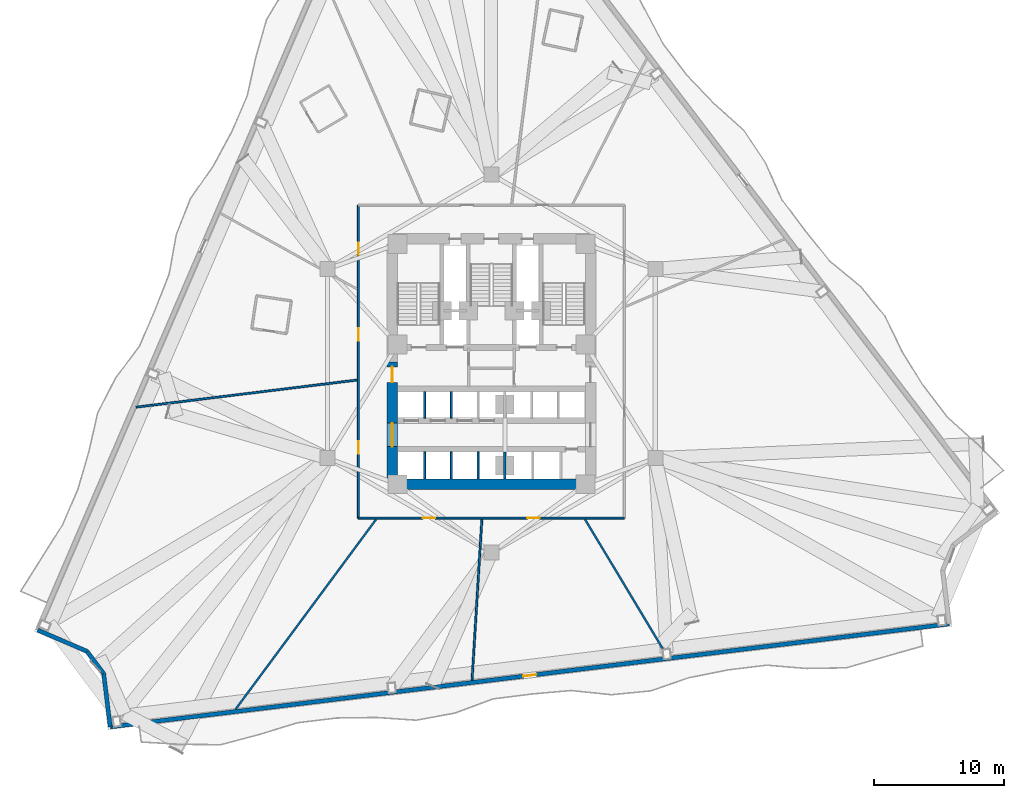
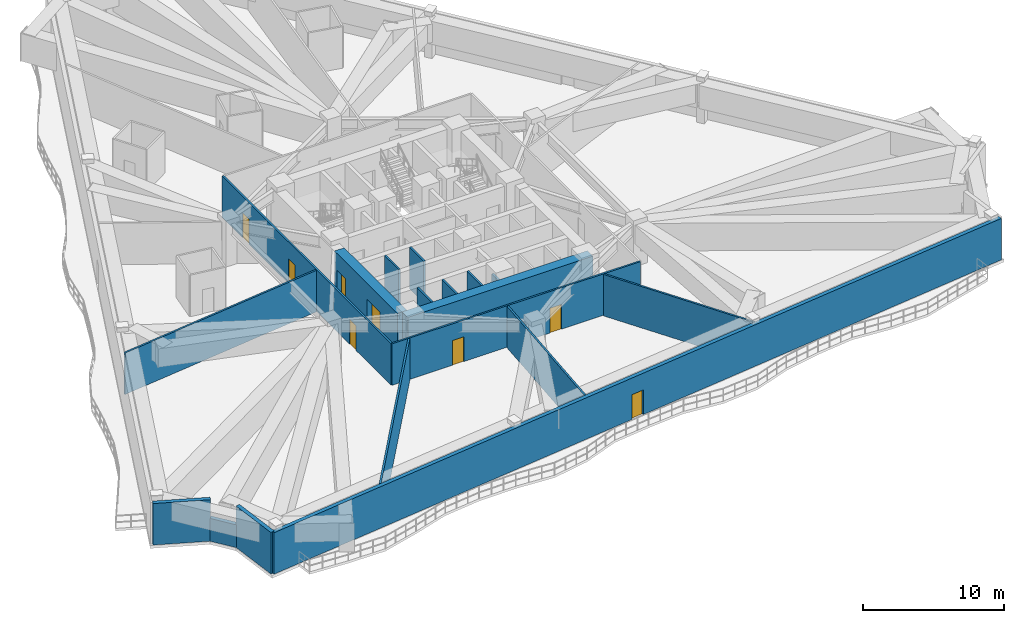
# One storey, part 7 of 14: 18 walls, 8 doors, 8 openings.
"""IFC4 building model written with IfcOpenShell, lengths in metres."""

from ifc_helpers import new_model, si_unit, direction, frame, frame_2d, origin, place, context, subcontext, project, spatial, rectangle, extrude, material, layer, layer_set, type_object, element, fill, save


model = new_model("IFC4")

# Units and contexts
model_context = context("Model", 3, precision=1e-05, world=origin(), true_north=direction((0.0, 1.0)))
body_context = subcontext(model_context, "Body", "Model", "MODEL_VIEW")
ifc_project = project(units=[si_unit("LENGTHUNIT", "METRE"), si_unit("AREAUNIT", "SQUARE_METRE"), si_unit("VOLUMEUNIT", "CUBIC_METRE"), si_unit("PLANEANGLEUNIT", "RADIAN"), si_unit("MASSUNIT", "GRAM", prefix="KILO")], contexts=[model_context])

# Site, building, storey
site_placement = place(None, origin())
site = spatial("IfcSite", under=ifc_project, at=site_placement, CompositionType="ELEMENT")
building_placement = place(site_placement, origin())
building = spatial("IfcBuilding", under=site, at=building_placement, Name="Apsidion Concourse Tower", CompositionType="ELEMENT")
storey_placement = place(building_placement, frame((0.0, 0.0, 91.0)))
storey = spatial("IfcBuildingStorey", under=building, at=storey_placement, Name="L20", CompositionType="ELEMENT", Elevation=91.0)

# Wall, opening, door
ifc_material_1 = material(Name="Precast concrete C40/50", Category="concrete")
ifc_layer_1 = layer(ifc_material_1, 0.320068359375)
ifc_layer_set_1 = layer_set([ifc_layer_1], Name="Precast concrete C40/50")
wall_type_1 = type_object("IfcWallType", Name="WL-EXT-320", PredefinedType="STANDARD", material=ifc_layer_set_1)
wall_1_placement = place(storey_placement, frame((35.0908203125, -19.961181640625, 0.0), z_axis=(0.0, 0.0, 1.0), x_axis=(-0.992546286146, -0.121868247946, 0.0)))
wall_1 = element("IfcWall", 1, at=wall_1_placement, inside=storey, type_object=wall_type_1, Name="L20 Precast Stone Facade Wall 05", PredefinedType="STANDARD", context=body_context, shape_type="SweptSolid", body=[
    extrude(rectangle(XDim=64.793212890625, YDim=0.320068359375, at=frame_2d((32.396484375, 0.0))), origin(), (0.0, 0.0, 1.0), 3.60009765625),
])
opening_1_placement = place(wall_1_placement, frame((31.896728515625, 0.0, 0.0)))
opening_1 = element("IfcOpeningElement", 2, at=opening_1_placement, cuts=wall_1, Name="Opening D-T1R", PredefinedType="OPENING", context=body_context, shape_type="SweptSolid", body=[
    extrude(rectangle(XDim=1.0, YDim=2.14990234375, at=frame_2d((0.5, 1.074951171875))), frame((0.0, 0.169921875, 0.0), z_axis=(0.0, -1.0, 0.0), x_axis=(1.0, 0.0, 0.0)), (0.0, 0.0, 1.0), 0.340087890625),
])
ifc_material_2 = material(Name="Anodised aluminium EN AW-6063 T6", Category="aluminium")
door_type_1 = type_object("IfcDoorType", Name="DR-TER-1022R", OperationType="SINGLE_SWING_RIGHT", PredefinedType="DOOR", material=ifc_material_2)
door_1_placement = place(opening_1_placement, origin())
door_1 = element("IfcDoor", 3, at=door_1_placement, inside=storey, type_object=door_type_1, Name="L20 Balcony Access Door 2", OperationType="SINGLE_SWING_RIGHT", OverallHeight=2.14990234375, OverallWidth=1.0, PredefinedType="DOOR", context=body_context, shape_type="SweptSolid", body=[
    extrude(rectangle(XDim=1.0, YDim=2.14990234375, at=frame_2d((0.5, 1.074951171875))), frame((0.0, 0.02490234375, 0.0), z_axis=(0.0, -1.0, 0.0), x_axis=(1.0, 0.0, 0.0)), (0.0, 0.0, 1.0), 0.050048828125),
])
fill(opening_1, door_1)

# Walls
wall_2_placement = place(storey_placement, frame((-29.219482421875, -27.857421875, 0.0), z_axis=(0.0, 0.0, 1.0), x_axis=(-0.121887213021, 0.992543957365, 0.0)))
element("IfcWall", 4, at=wall_2_placement, inside=storey, type_object=wall_type_1, Name="L20 Precast Stone Facade Wall 06", PredefinedType="STANDARD", context=body_context, shape_type="SweptSolid", body=[
    extrude(rectangle(XDim=4.128173828125, YDim=0.320068359375, at=frame_2d((2.06396484375, 0.0))), origin(), (0.0, 0.0, 1.0), 3.60009765625),
])
wall_3_placement = place(storey_placement, frame((-29.72265625, -23.760009765625, 0.0), z_axis=(0.0, 0.0, 1.0), x_axis=(-0.59977911486, 0.800165616218, 0.0)))
element("IfcWall", 5, at=wall_3_placement, inside=storey, type_object=wall_type_1, Name="L20 Precast Stone Facade Wall 07", PredefinedType="STANDARD", context=body_context, shape_type="SweptSolid", body=[
    extrude(rectangle(XDim=2.122314453125, YDim=0.320068359375, at=frame_2d((1.06103515625, 0.0))), origin(), (0.0, 0.0, 1.0), 1.97998046875),
])
wall_4_placement = place(storey_placement, frame((-30.99560546875, -22.061767578125, 0.0), z_axis=(0.0, 0.0, 1.0), x_axis=(-0.918504494871, 0.395410537165, 0.0)))
element("IfcWall", 6, at=wall_4_placement, inside=storey, type_object=wall_type_1, Name="L20 Precast Stone Facade Wall 08", PredefinedType="STANDARD", context=body_context, shape_type="SweptSolid", body=[
    extrude(rectangle(XDim=4.128173828125, YDim=0.320068359375, at=frame_2d((2.06396484375, 0.0))), origin(), (0.0, 0.0, 1.0), 3.60009765625),
])
ifc_material_3 = material(Name="Gypsum plasterboard partition")
ifc_layer_2 = layer(ifc_material_3, 0.14990234375)
ifc_layer_set_2 = layer_set([ifc_layer_2], Name="Gypsum plasterboard partition")
wall_type_2 = type_object("IfcWallType", Name="WL-INT-PAR-150", PredefinedType="PARTITIONING", material=ifc_layer_set_2)
for number, where, z_axis, x_axis, name in (
    (7, (-5.125, -4.179931640625, 0.0), (0.0, 0.0, 1.0), (0.0, 1.0, 0.0), "L20 Interior Partition WL-L20-B1DIV-1"),
    (8, (-3.074951171875, -4.179931640625, 0.0), (0.0, 0.0, 1.0), (0.0, 1.0, 0.0), "L20 Interior Partition WL-L20-B1DIV-2"),
):
    element("IfcWall", number, at=place(storey_placement, frame(where, z_axis=z_axis, x_axis=x_axis)), inside=storey, type_object=wall_type_2, Name=name, PredefinedType="PARTITIONING", context=body_context, shape_type="SweptSolid", body=[
        extrude(rectangle(XDim=2.030029296875, YDim=0.14990234375, at=frame_2d((1.01513671875, 0.0))), origin(), (0.0, 0.0, 1.0), 3.60009765625),
    ])
for number, where, z_axis, x_axis, name in (
    (9, (-5.125, -8.85009765625, 0.0), (0.0, 0.0, 1.0), (0.0, 1.0, 0.0), "L20 Interior Partition WL-L20-B2DIV-1"),
    (10, (-3.074951171875, -8.85009765625, 0.0), (0.0, 0.0, 1.0), (0.0, 1.0, 0.0), "L20 Interior Partition WL-L20-B2DIV-2"),
    (11, (-1.02490234375, -8.85009765625, 0.0), (0.0, 0.0, 1.0), (0.0, 1.0, 0.0), "L20 Interior Partition WL-L20-B2DIV-3"),
):
    element("IfcWall", number, at=place(storey_placement, frame(where, z_axis=z_axis, x_axis=x_axis)), inside=storey, type_object=wall_type_2, Name=name, PredefinedType="PARTITIONING", context=body_context, shape_type="SweptSolid", body=[
        extrude(rectangle(XDim=2.080078125, YDim=0.14990234375, at=frame_2d((1.0400390625, 0.0))), origin(), (0.0, 0.0, 1.0), 3.60009765625),
    ])

# Wall, openings, doors
wall_5_placement = place(storey_placement, frame((10.199951171875, -11.85009765625, 0.0), z_axis=(0.0, 0.0, 1.0), x_axis=(-1.0, 0.0, 0.0)))
wall_5 = element("IfcWall", 12, at=wall_5_placement, inside=storey, type_object=wall_type_2, Name="L20 Interior Partition WL-L20-CORR-03", PredefinedType="PARTITIONING", context=body_context, shape_type="SweptSolid", body=[
    extrude(rectangle(XDim=20.39990234375, YDim=0.14990234375, at=frame_2d((10.199951171875, 0.0))), origin(), (0.0, 0.0, 1.0), 3.60009765625),
])
opening_2_placement = place(wall_5_placement, frame((14.5107421875, 0.0, 0.0)))
opening_2 = element("IfcOpeningElement", 13, at=opening_2_placement, cuts=wall_5, Name="Opening D-01R", PredefinedType="OPENING", context=body_context, shape_type="SweptSolid", body=[
    extrude(rectangle(XDim=0.949951171875, YDim=2.14990234375, at=frame_2d((0.47509765625, 1.074951171875))), frame((0.0, 0.0849609375, 0.0), z_axis=(0.0, -1.0, 0.0), x_axis=(1.0, 0.0, 0.0)), (0.0, 0.0, 1.0), 0.169921875),
])
opening_3_placement = place(wall_5_placement, frame((6.501708984375, 0.0, 0.0)))
opening_3 = element("IfcOpeningElement", 14, at=opening_3_placement, cuts=wall_5, Name="Opening D-01L", PredefinedType="OPENING", context=body_context, shape_type="SweptSolid", body=[
    extrude(rectangle(XDim=0.949951171875, YDim=2.14990234375, at=frame_2d((0.47509765625, 1.074951171875))), frame((0.0, 0.0849609375, 0.0), z_axis=(0.0, -1.0, 0.0), x_axis=(1.0, 0.0, 0.0)), (0.0, 0.0, 1.0), 0.169921875),
])
ifc_material_4 = material(Name="Brushed stainless steel 316", Category="steel")
door_type_2 = type_object("IfcDoorType", Name="DR-INT-D01L", OperationType="SINGLE_SWING_LEFT", PredefinedType="DOOR", material=ifc_material_4)
door_2_placement = place(opening_3_placement, origin())
door_2 = element("IfcDoor", 15, at=door_2_placement, inside=storey, type_object=door_type_2, Name="L20 Corridor Entry Door 03", OperationType="SINGLE_SWING_LEFT", OverallHeight=2.14990234375, OverallWidth=0.949951171875, PredefinedType="DOOR", context=body_context, shape_type="SweptSolid", body=[
    extrude(rectangle(XDim=0.949951171875, YDim=2.14990234375, at=frame_2d((0.47509765625, 1.074951171875))), frame((0.0, 0.02490234375, 0.0), z_axis=(0.0, -1.0, 0.0), x_axis=(1.0, 0.0, 0.0)), (0.0, 0.0, 1.0), 0.050048828125),
])
fill(opening_3, door_2)
door_type_3 = type_object("IfcDoorType", Name="DR-INT-D01R", OperationType="SINGLE_SWING_RIGHT", PredefinedType="DOOR", material=ifc_material_4)
door_3_placement = place(opening_2_placement, origin())
door_3 = element("IfcDoor", 16, at=door_3_placement, inside=storey, type_object=door_type_3, Name="L20 Corridor Entry Door 02", OperationType="SINGLE_SWING_RIGHT", OverallHeight=2.14990234375, OverallWidth=0.949951171875, PredefinedType="DOOR", context=body_context, shape_type="SweptSolid", body=[
    extrude(rectangle(XDim=0.949951171875, YDim=2.14990234375, at=frame_2d((0.47509765625, 1.074951171875))), frame((0.0, 0.02490234375, 0.0), z_axis=(0.0, -1.0, 0.0), x_axis=(1.0, 0.0, 0.0)), (0.0, 0.0, 1.0), 0.050048828125),
])
fill(opening_2, door_3)

wall_6_placement = place(storey_placement, frame((-10.199951171875, -11.85009765625, 0.0), z_axis=(0.0, 0.0, 1.0), x_axis=(0.0, 1.0, 0.0)))
wall_6 = element("IfcWall", 17, at=wall_6_placement, inside=storey, type_object=wall_type_2, Name="L20 Interior Partition WL-L20-CORR-04", PredefinedType="PARTITIONING", context=body_context, shape_type="SweptSolid", body=[
    extrude(rectangle(XDim=24.0, YDim=0.14990234375, at=frame_2d((12.0, 0.0))), origin(), (0.0, 0.0, 1.0), 3.60009765625),
])
opening_4_placement = place(wall_6_placement, frame((4.946533203125, 0.0, 0.0)))
opening_4 = element("IfcOpeningElement", 18, at=opening_4_placement, cuts=wall_6, Name="Opening D-01L", PredefinedType="OPENING", context=body_context, shape_type="SweptSolid", body=[
    extrude(rectangle(XDim=0.949951171875, YDim=2.14990234375, at=frame_2d((0.47509765625, 1.074951171875))), frame((0.0, 0.0849609375, 0.0), z_axis=(0.0, -1.0, 0.0), x_axis=(1.0, 0.0, 0.0)), (0.0, 0.0, 1.0), 0.169921875),
])
opening_5_placement = place(wall_6_placement, frame((20.177001953125, 0.0, 0.0)))
opening_5 = element("IfcOpeningElement", 19, at=opening_5_placement, cuts=wall_6, Name="Opening D-01R", PredefinedType="OPENING", context=body_context, shape_type="SweptSolid", body=[
    extrude(rectangle(XDim=0.949951171875, YDim=2.14990234375, at=frame_2d((0.47509765625, 1.074951171875))), frame((0.0, 0.0849609375, 0.0), z_axis=(0.0, -1.0, 0.0), x_axis=(1.0, 0.0, 0.0)), (0.0, 0.0, 1.0), 0.169921875),
])
opening_6_placement = place(wall_6_placement, frame((13.59375, 0.0, 0.0)))
opening_6 = element("IfcOpeningElement", 20, at=opening_6_placement, cuts=wall_6, Name="Opening D-01L", PredefinedType="OPENING", context=body_context, shape_type="SweptSolid", body=[
    extrude(rectangle(XDim=0.949951171875, YDim=2.14990234375, at=frame_2d((0.47509765625, 1.074951171875))), frame((0.0, 0.0849609375, 0.0), z_axis=(0.0, -1.0, 0.0), x_axis=(1.0, 0.0, 0.0)), (0.0, 0.0, 1.0), 0.169921875),
])
door_4_placement = place(opening_4_placement, origin())
door_4 = element("IfcDoor", 21, at=door_4_placement, inside=storey, type_object=door_type_2, Name="L20 Corridor Entry Door 01", OperationType="SINGLE_SWING_LEFT", OverallHeight=2.14990234375, OverallWidth=0.949951171875, PredefinedType="DOOR", context=body_context, shape_type="SweptSolid", body=[
    extrude(rectangle(XDim=0.949951171875, YDim=2.14990234375, at=frame_2d((0.47509765625, 1.074951171875))), frame((0.0, 0.02490234375, 0.0), z_axis=(0.0, -1.0, 0.0), x_axis=(1.0, 0.0, 0.0)), (0.0, 0.0, 1.0), 0.050048828125),
])
fill(opening_4, door_4)
door_5_placement = place(opening_6_placement, origin())
door_5 = element("IfcDoor", 22, at=door_5_placement, inside=storey, type_object=door_type_2, Name="L20 Corridor Entry Door 09", OperationType="SINGLE_SWING_LEFT", OverallHeight=2.14990234375, OverallWidth=0.949951171875, PredefinedType="DOOR", context=body_context, shape_type="SweptSolid", body=[
    extrude(rectangle(XDim=0.949951171875, YDim=2.14990234375, at=frame_2d((0.47509765625, 1.074951171875))), frame((0.0, 0.02490234375, 0.0), z_axis=(0.0, -1.0, 0.0), x_axis=(1.0, 0.0, 0.0)), (0.0, 0.0, 1.0), 0.050048828125),
])
fill(opening_6, door_5)
door_6_placement = place(opening_5_placement, origin())
door_6 = element("IfcDoor", 23, at=door_6_placement, inside=storey, type_object=door_type_3, Name="L20 Corridor Entry Door 08", OperationType="SINGLE_SWING_RIGHT", OverallHeight=2.14990234375, OverallWidth=0.949951171875, PredefinedType="DOOR", context=body_context, shape_type="SweptSolid", body=[
    extrude(rectangle(XDim=0.949951171875, YDim=2.14990234375, at=frame_2d((0.47509765625, 1.074951171875))), frame((0.0, 0.02490234375, 0.0), z_axis=(0.0, -1.0, 0.0), x_axis=(1.0, 0.0, 0.0)), (0.0, 0.0, 1.0), 0.050048828125),
])
fill(opening_5, door_6)

# Walls
wall_7_placement = place(storey_placement, frame((-10.304931640625, -1.265380859375, 0.0), z_axis=(0.0, 0.0, 1.0), x_axis=(-0.992546036283, -0.121870282921, 0.0)))
element("IfcWall", 24, at=wall_7_placement, inside=storey, type_object=wall_type_2, Name="L20 Interior Partition WL-L20-RAD-06-1", PredefinedType="PARTITIONING", context=body_context, shape_type="SweptSolid", body=[
    extrude(rectangle(XDim=17.06396484375, YDim=0.14990234375, at=frame_2d((8.531982421875, 0.0))), origin(), (0.0, 0.0, 1.0), 3.60009765625),
])
wall_8_placement = place(storey_placement, frame((-8.84619140625, -11.955078125, 0.0), z_axis=(0.0, 0.0, 1.0), x_axis=(-0.594826092591, -0.803854414414, 0.0)))
element("IfcWall", 25, at=wall_8_placement, inside=storey, type_object=wall_type_2, Name="L20 Interior Partition WL-L20-RAD-07-1", PredefinedType="PARTITIONING", context=body_context, shape_type="SweptSolid", body=[
    extrude(rectangle(XDim=18.095458984375, YDim=0.14990234375, at=frame_2d((9.0478515625, 0.0))), origin(), (0.0, 0.0, 1.0), 3.60009765625),
])
wall_9_placement = place(storey_placement, frame((-0.731201171875, -11.955078125, 0.0), z_axis=(0.0, 0.0, 1.0), x_axis=(-0.061056980657, -0.998134282105, 0.0)))
element("IfcWall", 26, at=wall_9_placement, inside=storey, type_object=wall_type_2, Name="L20 Interior Partition WL-L20-RAD-08-1", PredefinedType="PARTITIONING", context=body_context, shape_type="SweptSolid", body=[
    extrude(rectangle(XDim=12.343505859375, YDim=0.14990234375, at=frame_2d((6.171875, 0.0))), origin(), (0.0, 0.0, 1.0), 3.60009765625),
])
wall_10_placement = place(storey_placement, frame((7.183349609375, -11.955078125, 0.0), z_axis=(0.0, 0.0, 1.0), x_axis=(0.515041693949, -0.857165126154, 0.0)))
element("IfcWall", 27, at=wall_10_placement, inside=storey, type_object=wall_type_2, Name="L20 Interior Partition WL-L20-RAD-09-1", PredefinedType="PARTITIONING", context=body_context, shape_type="SweptSolid", body=[
    extrude(rectangle(XDim=12.229736328125, YDim=0.14990234375, at=frame_2d((6.11474609375, 0.0))), origin(), (0.0, 0.0, 1.0), 3.60009765625),
])
ifc_layer_3 = layer(ifc_material_3, 0.179931640625)
ifc_layer_set_3 = layer_set([ifc_layer_3], Name="Gypsum plasterboard partition")
wall_type_3 = type_object("IfcWallType", Name="WL-INT-PAR-180", PredefinedType="PARTITIONING", material=ifc_layer_set_3)
wall_11_placement = place(storey_placement, frame((1.02490234375, -8.85009765625, 0.0), z_axis=(0.0, 0.0, 1.0), x_axis=(0.0, 1.0, 0.0)))
element("IfcWall", 28, at=wall_11_placement, inside=storey, type_object=wall_type_3, Name="L20 Interior Partition WL-L20-B2END", PredefinedType="PARTITIONING", context=body_context, shape_type="SweptSolid", body=[
    extrude(rectangle(XDim=2.080078125, YDim=0.179931640625, at=frame_2d((1.0400390625, 0.0))), origin(), (0.0, 0.0, 1.0), 2.64794921875),
])

# Wall, openings, doors
ifc_material_5 = material(Name="Concrete C60/75", Category="concrete")
ifc_layer_4 = layer(ifc_material_5, 0.800048828125)
ifc_layer_set_4 = layer_set([ifc_layer_4], Name="Concrete C60/75")
wall_type_4 = type_object("IfcWallType", Name="WL-SH-800", PredefinedType="SHEAR", material=ifc_layer_set_4)
wall_12_placement = place(storey_placement, frame((-7.60009765625, -8.85009765625, 0.0), z_axis=(0.0, 0.0, 1.0), x_axis=(0.0, 1.0, 0.0)))
wall_12 = element("IfcWall", 29, at=wall_12_placement, inside=storey, type_object=wall_type_4, Name="L20 Central Core Shear Wall WS", PredefinedType="SHEAR", context=body_context, shape_type="SweptSolid", body=[
    extrude(rectangle(XDim=8.9501953125, YDim=0.800048828125, at=frame_2d((4.47509765625, 0.0))), origin(), (0.0, 0.0, 1.0), 3.60009765625),
])
opening_7_placement = place(wall_12_placement, frame((2.489990234375, 0.0, 0.0)))
opening_7 = element("IfcOpeningElement", 30, at=opening_7_placement, cuts=wall_12, Name="Opening D-06D", PredefinedType="OPENING", context=body_context, shape_type="SweptSolid", body=[
    extrude(rectangle(XDim=1.800048828125, YDim=2.199951171875, at=frame_2d((0.89990234375, 1.10009765625))), frame((0.0, 0.41015625, 0.0), z_axis=(0.0, -1.0, 0.0), x_axis=(1.0, 0.0, 0.0)), (0.0, 0.0, 1.0), 0.820068359375),
])
opening_8_placement = place(wall_12_placement, frame((7.39990234375, 0.0, 0.0)))
opening_8 = element("IfcOpeningElement", 31, at=opening_8_placement, cuts=wall_12, Name="Opening D-FFL", PredefinedType="OPENING", context=body_context, shape_type="SweptSolid", body=[
    extrude(rectangle(XDim=1.199951171875, YDim=2.14990234375, at=frame_2d((0.60009765625, 1.074951171875))), frame((0.0, 0.41015625, 0.0), z_axis=(0.0, -1.0, 0.0), x_axis=(1.0, 0.0, 0.0)), (0.0, 0.0, 1.0), 0.820068359375),
])
door_type_4 = type_object("IfcDoorType", Name="DR-INT-D06D", OperationType="DOUBLE_DOOR_SINGLE_SWING", PredefinedType="DOOR", material=ifc_material_4)
door_7_placement = place(opening_7_placement, origin())
door_7 = element("IfcDoor", 32, at=door_7_placement, inside=storey, type_object=door_type_4, Name="L20 Passenger Lift Lobby WS Portal Door", OperationType="DOUBLE_DOOR_SINGLE_SWING", OverallHeight=2.199951171875, OverallWidth=1.800048828125, PredefinedType="DOOR", context=body_context, shape_type="SweptSolid", body=[
    extrude(rectangle(XDim=1.800048828125, YDim=2.199951171875, at=frame_2d((0.89990234375, 1.10009765625))), frame((0.0, 0.02490234375, 0.0), z_axis=(0.0, -1.0, 0.0), x_axis=(1.0, 0.0, 0.0)), (0.0, 0.0, 1.0), 0.050048828125),
])
fill(opening_7, door_7)
door_type_5 = type_object("IfcDoorType", Name="DR-INT-FFL", OperationType="SINGLE_SWING_LEFT", PredefinedType="DOOR", material=ifc_material_4)
door_8_placement = place(opening_8_placement, origin())
door_8 = element("IfcDoor", 33, at=door_8_placement, inside=storey, type_object=door_type_5, Name="L20 Firefighting Lift Lobby FF1 Door", OperationType="SINGLE_SWING_LEFT", OverallHeight=2.14990234375, OverallWidth=1.199951171875, PredefinedType="DOOR", context=body_context, shape_type="SweptSolid", body=[
    extrude(rectangle(XDim=1.199951171875, YDim=2.14990234375, at=frame_2d((0.60009765625, 1.074951171875))), frame((0.0, 0.02490234375, 0.0), z_axis=(0.0, -1.0, 0.0), x_axis=(1.0, 0.0, 0.0)), (0.0, 0.0, 1.0), 0.050048828125),
])
fill(opening_8, door_8)

# Wall
wall_13_placement = place(storey_placement, frame((-7.60009765625, -9.25, 0.0), z_axis=(0.0, 0.0, 1.0), x_axis=(1.0, 0.0, 0.0)))
element("IfcWall", 34, at=wall_13_placement, inside=storey, type_object=wall_type_4, Name="L20 Central Core Shear Wall S", PredefinedType="SHEAR", context=body_context, shape_type="SweptSolid", body=[
    extrude(rectangle(XDim=15.2001953125, YDim=0.800048828125, at=frame_2d((7.60009765625, 0.0))), origin(), (0.0, 0.0, 1.0), 3.60009765625),
])

save(model, "model.ifc")
